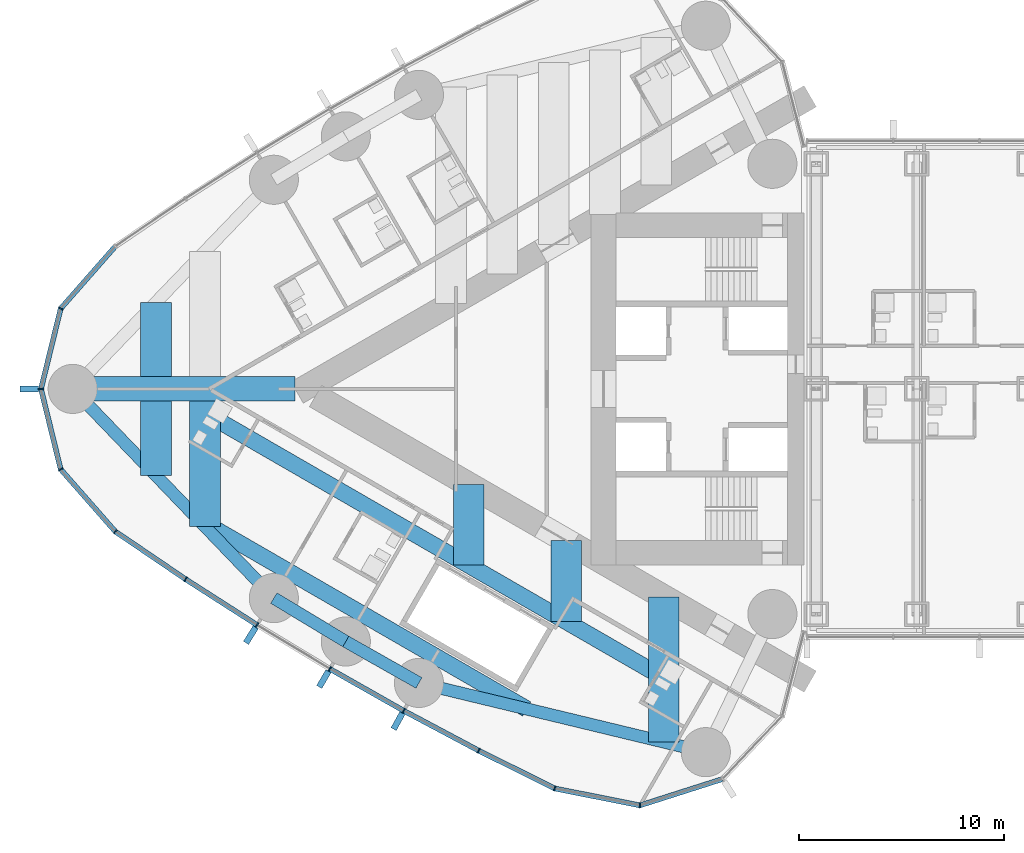
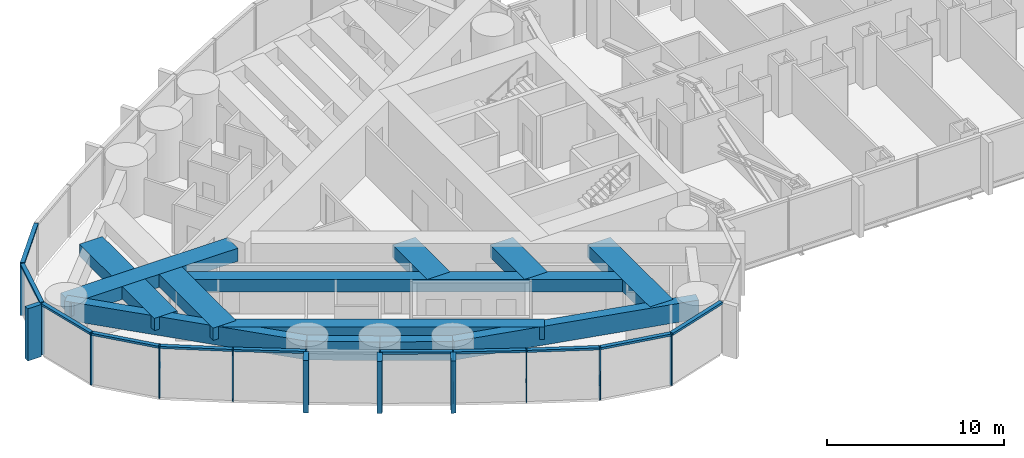
# One storey, part 2 of 23: 26 members, 13 beams, 1 element without a shape of its own.
"""IFC4 building model written with IfcOpenShell, lengths in metres."""

from ifc_helpers import new_model, si_unit, direction, frame, origin, origin_2d, place, context, subcontext, project, spatial, rectangle, hollow_rectangle, extrude, material, material_profile, profile_set, type_object, element, aggregate, save


model = new_model("IFC4")

# Units and contexts
model_context = context("Model", 3, precision=1e-05, world=origin(), true_north=direction((0.0, 1.0)))
body_context = subcontext(model_context, "Body", "Model", "MODEL_VIEW")
ifc_project = project(units=[si_unit("LENGTHUNIT", "METRE"), si_unit("AREAUNIT", "SQUARE_METRE"), si_unit("VOLUMEUNIT", "CUBIC_METRE"), si_unit("PLANEANGLEUNIT", "RADIAN"), si_unit("MASSUNIT", "GRAM", prefix="KILO")], contexts=[model_context])

# Site, building, storey
site_placement = place(None, origin())
site = spatial("IfcSite", under=ifc_project, at=site_placement, CompositionType="ELEMENT")
building_placement = place(site_placement, origin())
building = spatial("IfcBuilding", under=site, at=building_placement, Name="Lancet Gate Hotel", CompositionType="ELEMENT")
storey_placement = place(building_placement, frame((0.0, 0.0, 215.300048828125)))
storey = spatial("IfcBuildingStorey", under=building, at=storey_placement, Name="L57", CompositionType="ELEMENT", Elevation=215.300048828125)

# Curtain wall, members
ifc_material_1 = material(Name="Aluminium curtain wall", Category="aluminium")
curtain_wall_type = type_object("IfcCurtainWallType", Name="Tower unitised curtain wall", PredefinedType="USERDEFINED", material=ifc_material_1)
curtain_wall_placement = place(storey_placement, origin())
curtain_wall = element("IfcCurtainWall", 1, at=curtain_wall_placement, inside=storey, type_object=curtain_wall_type, Name="T1 L57 curtain wall 1", ObjectType="UNITISED CURTAIN WALL", PredefinedType="USERDEFINED")
ifc_material_2 = material(Name="Aluminium mullion", Category="aluminium")
ifc_material_profile_1 = material_profile(ifc_material_2, rectangle(XDim=0.06494140625, YDim=0.25, at=origin_2d()), Name="MULLION 65x250")
ifc_profile_set_1 = profile_set([ifc_material_profile_1], Name="Aluminium mullion")
member_type_1 = type_object("IfcMemberType", Name="Aluminium mullion 65x250", PredefinedType="MULLION", material=ifc_profile_set_1)
member_1_placement = place(storey_placement, frame((-63.822021484375, 3.928466796875, 0.0), z_axis=(0.0, 0.0, 1.0), x_axis=(-0.46217799743, -0.886787177789, 0.0)))
member_1 = element("IfcMember", 2, at=member_1_placement, type_object=member_type_1, Name="T1 L57 curtain wall 1 mullion 12", PredefinedType="MULLION", context=body_context, shape_type="SweptSolid", body=[
    extrude(rectangle(XDim=0.06494140625, YDim=0.25, at=origin_2d()), origin(), (0.0, 0.0, 1.0), 3.599853515625),
])
member_2_placement = place(storey_placement, frame((-64.7841796875, 0.0, 0.0), z_axis=(0.0, 0.0, 1.0), x_axis=(0.0, -1.0, 0.0)))
member_2 = element("IfcMember", 3, at=member_2_placement, type_object=member_type_1, Name="T1 L57 curtain wall 1 mullion 13", PredefinedType="MULLION", context=body_context, shape_type="SweptSolid", body=[
    extrude(rectangle(XDim=0.06494140625, YDim=0.25, at=origin_2d()), origin(), (0.0, 0.0, 1.0), 3.599853515625),
])
member_3_placement = place(storey_placement, frame((-63.822021484375, -3.928466796875, 0.0), z_axis=(0.0, 0.0, 1.0), x_axis=(0.46217799743, -0.886787177789, 0.0)))
member_3 = element("IfcMember", 4, at=member_3_placement, type_object=member_type_1, Name="T1 L57 curtain wall 1 mullion 14", PredefinedType="MULLION", context=body_context, shape_type="SweptSolid", body=[
    extrude(rectangle(XDim=0.06494140625, YDim=0.25, at=origin_2d()), origin(), (0.0, 0.0, 1.0), 3.599853515625),
])
member_4_placement = place(storey_placement, frame((-61.15283203125, -6.967529296875, 0.0), z_axis=(0.0, 0.0, 1.0), x_axis=(0.750715604757, -0.660625522345, 0.0)))
member_4 = element("IfcMember", 5, at=member_4_placement, type_object=member_type_1, Name="T1 L57 curtain wall 1 mullion 15", PredefinedType="MULLION", context=body_context, shape_type="SweptSolid", body=[
    extrude(rectangle(XDim=0.06494140625, YDim=0.25, at=origin_2d()), origin(), (0.0, 0.0, 1.0), 3.599853515625),
])
member_5_placement = place(storey_placement, frame((-57.72021484375, -9.298095703125, 0.0), z_axis=(0.0, 0.0, 1.0), x_axis=(0.834827178542, -0.550512108829, 0.0)))
member_5 = element("IfcMember", 6, at=member_5_placement, type_object=member_type_1, Name="T1 L57 curtain wall 1 mullion 16", PredefinedType="MULLION", context=body_context, shape_type="SweptSolid", body=[
    extrude(rectangle(XDim=0.06494140625, YDim=0.25, at=origin_2d()), origin(), (0.0, 0.0, 1.0), 3.599853515625),
])
member_6_placement = place(storey_placement, frame((-54.225830078125, -11.535400390625, 0.0), z_axis=(0.0, 0.0, 1.0), x_axis=(0.849342388216, -0.527842313176, 0.0)))
member_6 = element("IfcMember", 7, at=member_6_placement, type_object=member_type_1, Name="T1 L57 curtain wall 1 mullion 17", PredefinedType="MULLION", context=body_context, shape_type="SweptSolid", body=[
    extrude(rectangle(XDim=0.06494140625, YDim=0.25, at=origin_2d()), origin(), (0.0, 0.0, 1.0), 3.599853515625),
])
member_7_placement = place(storey_placement, frame((-50.67236328125, -13.677978515625, 0.0), z_axis=(0.0, 0.0, 1.0), x_axis=(0.863242155108, -0.504790037189, 0.0)))
member_7 = element("IfcMember", 8, at=member_7_placement, type_object=member_type_1, Name="T1 L57 curtain wall 1 mullion 18", PredefinedType="MULLION", context=body_context, shape_type="SweptSolid", body=[
    extrude(rectangle(XDim=0.06494140625, YDim=0.25, at=origin_2d()), origin(), (0.0, 0.0, 1.0), 3.599853515625),
])
member_8_placement = place(storey_placement, frame((-47.062744140625, -15.72412109375, 0.0), z_axis=(0.0, 0.0, 1.0), x_axis=(0.876516407283, -0.481371984815, 0.0)))
member_8 = element("IfcMember", 9, at=member_8_placement, type_object=member_type_1, Name="T1 L57 curtain wall 1 mullion 19", PredefinedType="MULLION", context=body_context, shape_type="SweptSolid", body=[
    extrude(rectangle(XDim=0.06494140625, YDim=0.25, at=origin_2d()), origin(), (0.0, 0.0, 1.0), 3.599853515625),
])
member_9_placement = place(storey_placement, frame((-43.3994140625, -17.67236328125, 0.0), z_axis=(0.0, 0.0, 1.0), x_axis=(0.889155526065, -0.457605125046, 0.0)))
member_9 = element("IfcMember", 10, at=member_9_placement, type_object=member_type_1, Name="T1 L57 curtain wall 1 mullion 20", PredefinedType="MULLION", context=body_context, shape_type="SweptSolid", body=[
    extrude(rectangle(XDim=0.06494140625, YDim=0.25, at=origin_2d()), origin(), (0.0, 0.0, 1.0), 3.599853515625),
])
member_10_placement = place(storey_placement, frame((-39.684814453125, -19.521240234375, 0.0), z_axis=(0.0, 0.0, 1.0), x_axis=(0.946887706423, -0.321564412561, 0.0)))
member_10 = element("IfcMember", 11, at=member_10_placement, type_object=member_type_1, Name="T1 L57 curtain wall 1 mullion 21", PredefinedType="MULLION", context=body_context, shape_type="SweptSolid", body=[
    extrude(rectangle(XDim=0.06494140625, YDim=0.25, at=origin_2d()), origin(), (0.0, 0.0, 1.0), 3.599853515625),
])
member_11_placement = place(storey_placement, frame((-35.520751953125, -20.347900390625, 0.0), z_axis=(0.0, 0.0, 1.0), x_axis=(0.998409168318, 0.056383797491, 0.0)))
member_11 = element("IfcMember", 12, at=member_11_placement, type_object=member_type_1, Name="T1 L57 curtain wall 1 mullion 22", PredefinedType="MULLION", context=body_context, shape_type="SweptSolid", body=[
    extrude(rectangle(XDim=0.06494140625, YDim=0.25, at=origin_2d()), origin(), (0.0, 0.0, 1.0), 3.599853515625),
])
ifc_material_3 = material(Name="Aluminium transom", Category="aluminium")
ifc_material_profile_2 = material_profile(ifc_material_3, rectangle(XDim=0.25, YDim=0.14990234375, at=origin_2d()), Name="TRANSOM 250x150")
ifc_profile_set_2 = profile_set([ifc_material_profile_2], Name="Aluminium transom")
member_type_2 = type_object("IfcMemberType", Name="Aluminium transom 250x150", PredefinedType="USERDEFINED", material=ifc_profile_set_2)
member_12_placement = place(storey_placement, frame((-61.17431640625, 6.943115234375, 3.52490234375), z_axis=(-0.659893258593, -0.751359359603, 0.0), x_axis=(0.751359359603, -0.659893258593, 0.0)))
member_12 = element("IfcMember", 13, at=member_12_placement, type_object=member_type_2, Name="T1 L57 curtain wall 1 transom 11", ObjectType="TRANSOM", PredefinedType="USERDEFINED", context=body_context, shape_type="SweptSolid", body=[
    extrude(rectangle(XDim=0.25, YDim=0.14990234375, at=origin_2d()), origin(), (0.0, 0.0, 1.0), 3.979736328125),
])
member_13_placement = place(storey_placement, frame((-63.829833984375, 3.89697265625, 3.52490234375), z_axis=(-0.237899438372, -0.971289790548, 0.0), x_axis=(0.971289790548, -0.237899438372, 0.0)))
member_13 = element("IfcMember", 14, at=member_13_placement, type_object=member_type_2, Name="T1 L57 curtain wall 1 transom 12", ObjectType="TRANSOM", PredefinedType="USERDEFINED", context=body_context, shape_type="SweptSolid", body=[
    extrude(rectangle(XDim=0.25, YDim=0.14990234375, at=origin_2d()), origin(), (0.0, 0.0, 1.0), 3.979736328125),
])
member_14_placement = place(storey_placement, frame((-64.776611328125, -0.031494140625, 3.52490234375), z_axis=(0.237899438372, -0.971289790548, 0.0), x_axis=(0.971289790548, 0.237899438372, 0.0)))
member_14 = element("IfcMember", 15, at=member_14_placement, type_object=member_type_2, Name="T1 L57 curtain wall 1 transom 13", ObjectType="TRANSOM", PredefinedType="USERDEFINED", context=body_context, shape_type="SweptSolid", body=[
    extrude(rectangle(XDim=0.25, YDim=0.14990234375, at=origin_2d()), origin(), (0.0, 0.0, 1.0), 3.979736328125),
])
member_15_placement = place(storey_placement, frame((-63.800537109375, -3.952880859375, 3.52490234375), z_axis=(0.659893258593, -0.751359359603, 0.0), x_axis=(0.751359359603, 0.659893258593, 0.0)))
member_15 = element("IfcMember", 16, at=member_15_placement, type_object=member_type_2, Name="T1 L57 curtain wall 1 transom 14", ObjectType="TRANSOM", PredefinedType="USERDEFINED", context=body_context, shape_type="SweptSolid", body=[
    extrude(rectangle(XDim=0.25, YDim=0.14990234375, at=origin_2d()), origin(), (0.0, 0.0, 1.0), 3.979736328125),
])
member_16_placement = place(storey_placement, frame((-61.1259765625, -6.98583984375, 3.52490234375), z_axis=(0.827348780456, -0.561688521761, 0.0), x_axis=(0.561688521761, 0.827348780456, 0.0)))
member_16 = element("IfcMember", 17, at=member_16_placement, type_object=member_type_2, Name="T1 L57 curtain wall 1 transom 15", ObjectType="TRANSOM", PredefinedType="USERDEFINED", context=body_context, shape_type="SweptSolid", body=[
    extrude(rectangle(XDim=0.25, YDim=0.14990234375, at=origin_2d()), origin(), (0.0, 0.0, 1.0), 4.083984375),
])
member_17_placement = place(storey_placement, frame((-57.692626953125, -9.315673828125, 3.52490234375), z_axis=(0.842144358733, -0.539252147937, 0.0), x_axis=(0.539252147937, 0.842144358733, 0.0)))
member_17 = element("IfcMember", 18, at=member_17_placement, type_object=member_type_2, Name="T1 L57 curtain wall 1 transom 16", ObjectType="TRANSOM", PredefinedType="USERDEFINED", context=body_context, shape_type="SweptSolid", body=[
    extrude(rectangle(XDim=0.25, YDim=0.14990234375, at=origin_2d()), origin(), (0.0, 0.0, 1.0), 4.084228515625),
])
member_18_placement = place(storey_placement, frame((-50.644287109375, -13.694091796875, 3.52490234375), z_axis=(0.869977740049, -0.493090997503, 0.0), x_axis=(0.493090997503, 0.869977740049, 0.0)))
member_18 = element("IfcMember", 19, at=member_18_placement, type_object=member_type_2, Name="T1 L57 curtain wall 1 transom 18", ObjectType="TRANSOM", PredefinedType="USERDEFINED", context=body_context, shape_type="SweptSolid", body=[
    extrude(rectangle(XDim=0.25, YDim=0.14990234375, at=origin_2d()), origin(), (0.0, 0.0, 1.0), 4.084228515625),
])
member_19_placement = place(storey_placement, frame((-47.0341796875, -15.739501953125, 3.52490234375), z_axis=(0.882944619844, -0.469477154171, 0.0), x_axis=(0.469477154171, 0.882944619844, 0.0)))
member_19 = element("IfcMember", 20, at=member_19_placement, type_object=member_type_2, Name="T1 L57 curtain wall 1 transom 19", ObjectType="TRANSOM", PredefinedType="USERDEFINED", context=body_context, shape_type="SweptSolid", body=[
    extrude(rectangle(XDim=0.25, YDim=0.14990234375, at=origin_2d()), origin(), (0.0, 0.0, 1.0), 4.084228515625),
])
member_20_placement = place(storey_placement, frame((-43.370361328125, -17.686767578125, 3.52490234375), z_axis=(0.895226720479, -0.445610950202, 0.0), x_axis=(0.445610950202, 0.895226720479, 0.0)))
member_20 = element("IfcMember", 21, at=member_20_placement, type_object=member_type_2, Name="T1 L57 curtain wall 1 transom 20", ObjectType="TRANSOM", PredefinedType="USERDEFINED", context=body_context, shape_type="SweptSolid", body=[
    extrude(rectangle(XDim=0.25, YDim=0.14990234375, at=origin_2d()), origin(), (0.0, 0.0, 1.0), 4.08447265625),
])
member_21_placement = place(storey_placement, frame((-39.65283203125, -19.527587890625, 3.52490234375), z_axis=(0.980858234867, -0.194723196085, 0.0), x_axis=(0.194723196085, 0.980858234867, 0.0)))
member_21 = element("IfcMember", 22, at=member_21_placement, type_object=member_type_2, Name="T1 L57 curtain wall 1 transom 21", ObjectType="TRANSOM", PredefinedType="USERDEFINED", context=body_context, shape_type="SweptSolid", body=[
    extrude(rectangle(XDim=0.25, YDim=0.14990234375, at=origin_2d()), origin(), (0.0, 0.0, 1.0), 4.18017578125),
])
member_22_placement = place(storey_placement, frame((-35.48974609375, -20.338134765625, 3.52490234375), z_axis=(0.952697713775, 0.303919506068, 0.0), x_axis=(-0.303919506068, 0.952697713775, 0.0)))
member_22 = element("IfcMember", 23, at=member_22_placement, type_object=member_type_2, Name="T1 L57 curtain wall 1 transom 22", ObjectType="TRANSOM", PredefinedType="USERDEFINED", context=body_context, shape_type="SweptSolid", body=[
    extrude(rectangle(XDim=0.25, YDim=0.14990234375, at=origin_2d()), origin(), (0.0, 0.0, 1.0), 4.180419921875),
])

# Beams
ifc_material_4 = material(Name="Steel S460QL", Category="steel")
ifc_material_profile_3 = material_profile(ifc_material_4, hollow_rectangle(XDim=0.60009765625, YDim=1.300048828125, WallThickness=0.050048828125, at=origin_2d()), Name="BOX 1300x600x50")
ifc_profile_set_3 = profile_set([ifc_material_profile_3], Name="Steel S460QL")
beam_type_1 = type_object("IfcBeamType", Name="Edge beam BOX 1300x600x50", PredefinedType="SPANDREL", material=ifc_profile_set_3)
beam_1_placement = place(storey_placement, frame((-63.234375, 0.0, 2.699951171875), z_axis=(0.693134527053, -0.720808245934, 0.0), x_axis=(0.720808245934, 0.693134527053, 0.0)))
element("IfcBeam", 24, at=beam_1_placement, inside=storey, type_object=beam_type_1, Name="T1 edge beam EB2 L57", PredefinedType="SPANDREL", context=body_context, shape_type="SweptSolid", body=[
    extrude(hollow_rectangle(XDim=0.60009765625, YDim=1.300048828125, WallThickness=0.050048828125, at=origin_2d()), origin(), (0.0, 0.0, 1.0), 14.17724609375),
])
for number, where, z_axis, x_axis, name in (
    (25, (-53.40771484375, -10.218994140625, 2.699951171875), (0.856358061538, -0.516382484636, 0.0), (0.516382484636, 0.856358061538, 0.0), "T1 edge beam EB2 L57"),
    (26, (-49.89013671875, -12.340087890625, 2.699951171875), (0.869978841992, -0.493089053301, 0.0), (0.493089053301, 0.869978841992, 0.0), "T1 edge beam EB2 L57"),
):
    element("IfcBeam", number, at=place(storey_placement, frame(where, z_axis=z_axis, x_axis=x_axis)), inside=storey, type_object=beam_type_1, Name=name, PredefinedType="SPANDREL", context=body_context, shape_type="SweptSolid", body=[
        extrude(hollow_rectangle(XDim=0.60009765625, YDim=1.300048828125, WallThickness=0.050048828125, at=origin_2d()), origin(), (0.0, 0.0, 1.0), 4.107666015625),
    ])
beam_2_placement = place(storey_placement, frame((-46.316650390625, -14.365478515625, 2.699951171875), z_axis=(0.972132796948, -0.234430853556, 0.0), x_axis=(0.234430853556, 0.972132796948, 0.0)))
element("IfcBeam", 27, at=beam_2_placement, inside=storey, type_object=beam_type_1, Name="T1 edge beam EB2 L57", PredefinedType="SPANDREL", context=body_context, shape_type="SweptSolid", body=[
    extrude(hollow_rectangle(XDim=0.60009765625, YDim=1.300048828125, WallThickness=0.050048828125, at=origin_2d()), origin(), (0.0, 0.0, 1.0), 14.41748046875),
])

# Member
ifc_material_5 = material(Name="Precast concrete C50/60", Category="concrete")
ifc_material_profile_4 = material_profile(ifc_material_5, rectangle(XDim=0.300048828125, YDim=0.89990234375, at=origin_2d()), Name="FIN 300x900")
ifc_profile_set_4 = profile_set([ifc_material_profile_4], Name="Precast concrete C50/60")
member_type_3 = type_object("IfcMemberType", Name="Exposed concrete fin 300x900", PredefinedType="USERDEFINED", material=ifc_profile_set_4)
member_23_placement = place(storey_placement, frame((-65.359375, 0.0, 0.0), z_axis=(0.0, 0.0, 1.0), x_axis=(0.0, -1.0, 0.0)))
member_23 = element("IfcMember", 28, at=member_23_placement, type_object=member_type_3, Name="T1 L57 curtain wall 1 fin 13", ObjectType="FIN", PredefinedType="USERDEFINED", context=body_context, shape_type="SweptSolid", body=[
    extrude(rectangle(XDim=0.300048828125, YDim=0.89990234375, at=origin_2d()), origin(), (0.0, 0.0, 1.0), 3.599853515625),
])

member_24_placement = place(storey_placement, frame((-54.529296875, -12.02392578125, 0.0), z_axis=(0.0, 0.0, 1.0), x_axis=(0.849342388216, -0.527842313176, 0.0)))
member_24 = element("IfcMember", 29, at=member_24_placement, type_object=member_type_3, Name="T1 L57 curtain wall 1 fin 17", ObjectType="FIN", PredefinedType="USERDEFINED", context=body_context, shape_type="SweptSolid", body=[
    extrude(rectangle(XDim=0.300048828125, YDim=0.89990234375, at=origin_2d()), origin(), (0.0, 0.0, 1.0), 3.599853515625),
])

member_25_placement = place(storey_placement, frame((-50.962646484375, -14.17431640625, 0.0), z_axis=(0.0, 0.0, 1.0), x_axis=(0.863242155108, -0.504790037189, 0.0)))
member_25 = element("IfcMember", 30, at=member_25_placement, type_object=member_type_3, Name="T1 L57 curtain wall 1 fin 18", ObjectType="FIN", PredefinedType="USERDEFINED", context=body_context, shape_type="SweptSolid", body=[
    extrude(rectangle(XDim=0.300048828125, YDim=0.89990234375, at=origin_2d()), origin(), (0.0, 0.0, 1.0), 3.599853515625),
])

member_26_placement = place(storey_placement, frame((-47.339599609375, -16.22802734375, 0.0), z_axis=(0.0, 0.0, 1.0), x_axis=(0.876516407283, -0.481371984815, 0.0)))
member_26 = element("IfcMember", 31, at=member_26_placement, type_object=member_type_3, Name="T1 L57 curtain wall 1 fin 19", ObjectType="FIN", PredefinedType="USERDEFINED", context=body_context, shape_type="SweptSolid", body=[
    extrude(rectangle(XDim=0.300048828125, YDim=0.89990234375, at=origin_2d()), origin(), (0.0, 0.0, 1.0), 3.599853515625),
])

aggregate(curtain_wall, [member_1, member_2, member_23, member_3, member_4, member_5, member_6, member_24, member_7, member_25, member_8, member_26, member_9, member_10, member_11, member_12, member_13, member_14, member_15, member_16, member_17, member_18, member_19, member_20, member_21, member_22])

# Beams
ifc_material_6 = material(Name="Concrete C50/60", Category="concrete")
ifc_material_profile_5 = material_profile(ifc_material_6, rectangle(XDim=1.5, YDim=0.85009765625, at=origin_2d()), Name="RC 1500x850")
ifc_profile_set_5 = profile_set([ifc_material_profile_5], Name="Concrete C50/60")
beam_type_2 = type_object("IfcBeamType", Name="Floor beam RC 1500x850", PredefinedType="BEAM", material=ifc_profile_set_5)
beam_3_placement = place(storey_placement, frame((-34.353515625, -10.169921875, 2.925048828125), z_axis=(0.0, -1.0, 0.0), x_axis=(1.0, 0.0, 0.0)))
element("IfcBeam", 32, at=beam_3_placement, inside=storey, type_object=beam_type_2, Name="T1 floor beam F01N L57", PredefinedType="BEAM", context=body_context, shape_type="SweptSolid", body=[
    extrude(rectangle(XDim=1.5, YDim=0.85009765625, at=origin_2d()), origin(), (0.0, 0.0, 1.0), 7.08056640625),
])
beam_4_placement = place(storey_placement, frame((-56.768310546875, -0.60009765625, 2.925048828125), z_axis=(0.0, -1.0, 0.0), x_axis=(1.0, 0.0, 0.0)))
element("IfcBeam", 33, at=beam_4_placement, inside=storey, type_object=beam_type_2, Name="T1 floor beam F10N L57", PredefinedType="BEAM", context=body_context, shape_type="SweptSolid", body=[
    extrude(rectangle(XDim=1.5, YDim=0.85009765625, at=origin_2d()), origin(), (0.0, 0.0, 1.0), 6.1240234375),
])
for number, where, z_axis, x_axis, name in (
    (34, (-59.168212890625, 4.228271484375, 2.925048828125), (0.0, -1.0, 0.0), (1.0, 0.0, 0.0), "T1 floor beam F11S L57"),
    (35, (-59.168212890625, -0.60009765625, 2.925048828125), (0.0, -1.0, 0.0), (1.0, 0.0, 0.0), "T1 floor beam F12N L57"),
):
    element("IfcBeam", number, at=place(storey_placement, frame(where, z_axis=z_axis, x_axis=x_axis)), inside=storey, type_object=beam_type_2, Name=name, PredefinedType="BEAM", context=body_context, shape_type="SweptSolid", body=[
        extrude(rectangle(XDim=1.5, YDim=0.85009765625, at=origin_2d()), origin(), (0.0, 0.0, 1.0), 3.628173828125),
    ])
for number, where, z_axis, x_axis, name in (
    (36, (-39.122314453125, -7.41650390625, 2.925048828125), (0.0, -1.0, 0.0), (1.0, 0.0, 0.0), "T1 floor beam F04NA L57"),
    (37, (-43.891357421875, -4.663330078125, 2.925048828125), (0.0, -1.0, 0.0), (1.0, 0.0, 0.0), "T1 floor beam F07NA L57"),
):
    element("IfcBeam", number, at=place(storey_placement, frame(where, z_axis=z_axis, x_axis=x_axis)), inside=storey, type_object=beam_type_2, Name=name, PredefinedType="BEAM", context=body_context, shape_type="SweptSolid", body=[
        extrude(rectangle(XDim=1.5, YDim=0.85009765625, at=origin_2d()), origin(), (0.0, 0.0, 1.0), 3.945556640625),
    ])
ifc_material_7 = material(Name="Concrete C50/60", Category="concrete")
ifc_material_profile_6 = material_profile(ifc_material_7, rectangle(XDim=1.199951171875, YDim=0.89990234375, at=origin_2d()), Name="RC 1200x900")
ifc_profile_set_6 = profile_set([ifc_material_profile_6], Name="Concrete C50/60")
beam_type_3 = type_object("IfcBeamType", Name="Radial floor beam RC 1200x900", PredefinedType="BEAM", material=ifc_profile_set_6)
beam_5_placement = place(storey_placement, frame((-63.234375, 0.0, 2.89990234375), z_axis=(1.0, 0.0, 0.0), x_axis=(0.0, 1.0, 0.0)))
element("IfcBeam", 38, at=beam_5_placement, inside=storey, type_object=beam_type_3, Name="T1 radial beam CA L57", PredefinedType="BEAM", context=body_context, shape_type="SweptSolid", body=[
    extrude(rectangle(XDim=1.199951171875, YDim=0.89990234375, at=origin_2d()), origin(), (0.0, 0.0, 1.0), 10.8662109375),
])
ifc_material_8 = material(Name="Steel S460QL", Category="steel")
ifc_material_profile_7 = material_profile(ifc_material_8, hollow_rectangle(XDim=0.800048828125, YDim=0.85009765625, WallThickness=0.080078125, at=origin_2d()), Name="BOX 850x800x80")
ifc_profile_set_7 = profile_set([ifc_material_profile_7], Name="Steel S460QL")
beam_type_4 = type_object("IfcBeamType", Name="Trimmer beam BOX 850x800x80", PredefinedType="BEAM", material=ifc_profile_set_7)
beam_6_placement = place(storey_placement, frame((-34.353515625, -14.115234375, 2.925048828125), z_axis=(-0.866038088301, 0.499978029129, 0.0), x_axis=(-0.499978029129, -0.866038088301, 0.0)))
element("IfcBeam", 39, at=beam_6_placement, inside=storey, type_object=beam_type_4, Name="T1 trimmer beam TR01N L57", PredefinedType="BEAM", context=body_context, shape_type="SweptSolid", body=[
    extrude(hollow_rectangle(XDim=0.800048828125, YDim=0.85009765625, WallThickness=0.080078125, at=origin_2d()), origin(), (0.0, 0.0, 1.0), 25.882080078125),
])
beam_7_placement = place(storey_placement, frame((-41.05322265625, -15.634765625, 2.925048828125), z_axis=(-0.866039732055, 0.499975181887, 0.0), x_axis=(-0.499975181887, -0.866039732055, 0.0)))
element("IfcBeam", 40, at=beam_7_placement, inside=storey, type_object=beam_type_4, Name="T1 trimmer beam TR02N L57", PredefinedType="BEAM", context=body_context, shape_type="SweptSolid", body=[
    extrude(hollow_rectangle(XDim=0.800048828125, YDim=0.85009765625, WallThickness=0.080078125, at=origin_2d()), origin(), (0.0, 0.0, 1.0), 18.14599609375),
])

save(model, "model.ifc")
